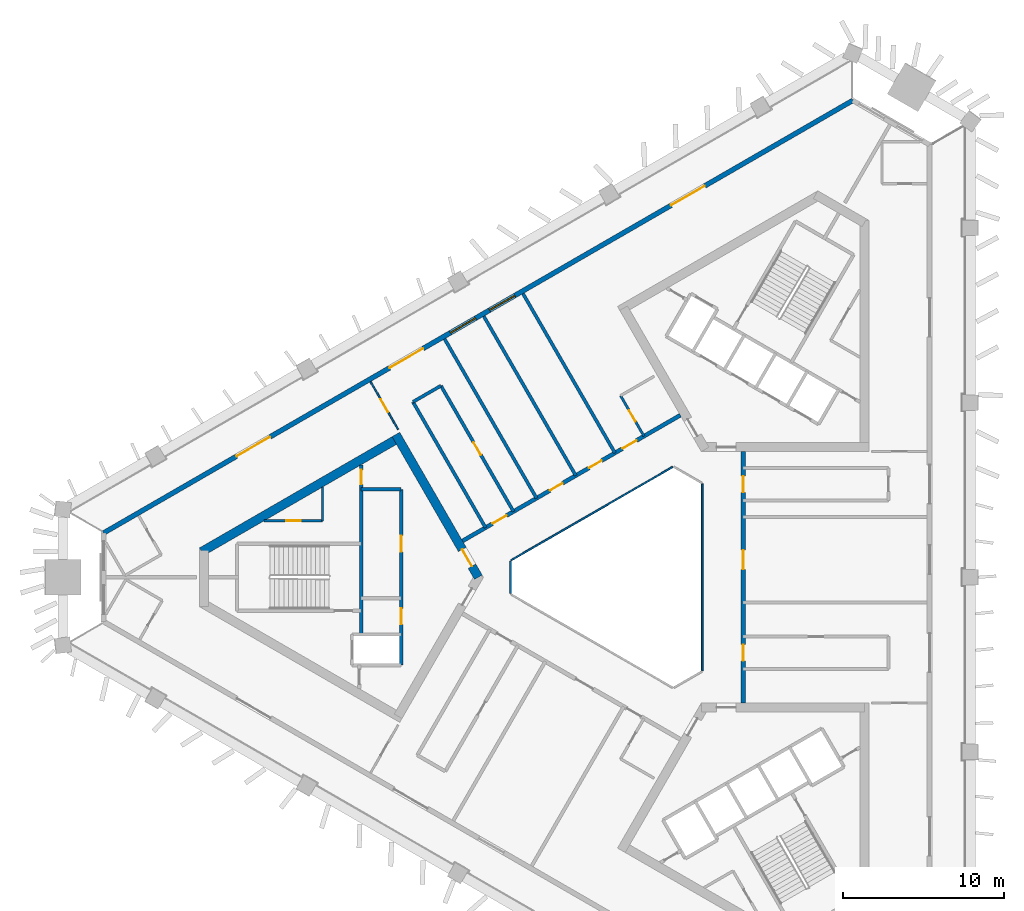
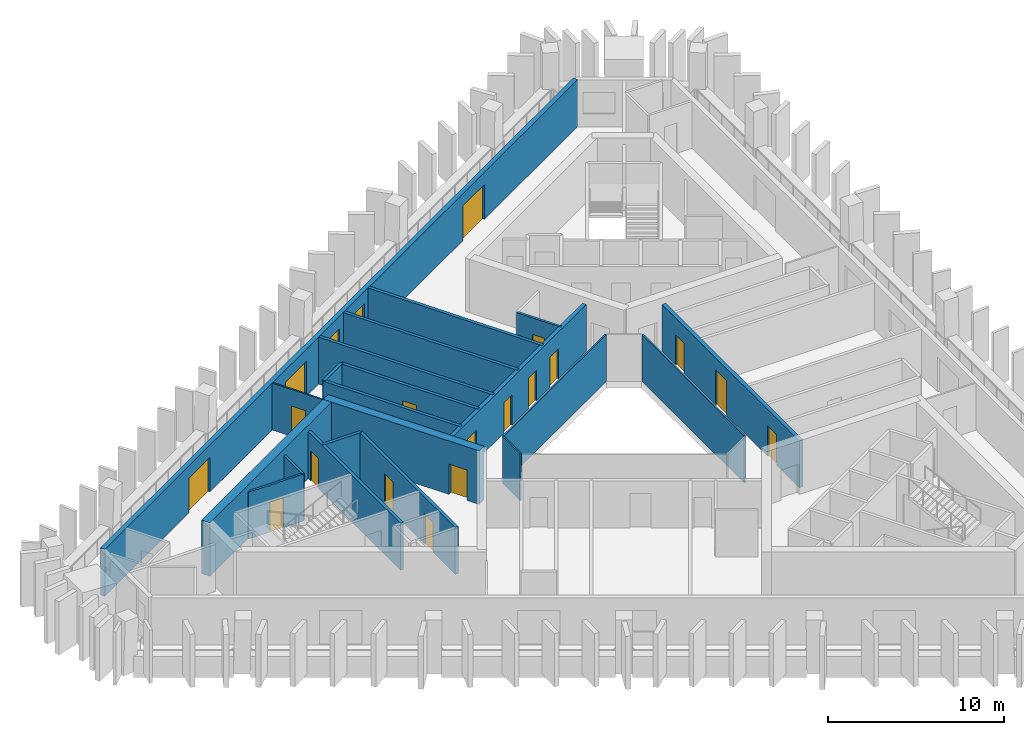
# One storey, part 4 of 9: 21 walls, 18 doors, 2 windows, 20 openings.
"""IFC4 building model written with IfcOpenShell, lengths in metres."""

from ifc_helpers import new_model, si_unit, direction, frame, frame_2d, origin, place, context, subcontext, project, spatial, rectangle, extrude, material, layer, layer_set, type_object, element, fill, save


model = new_model("IFC4")

# Units and contexts
model_context = context("Model", 3, precision=1e-05, world=origin(), true_north=direction((0.0, 1.0)))
body_context = subcontext(model_context, "Body", "Model", "MODEL_VIEW")
ifc_project = project(units=[si_unit("LENGTHUNIT", "METRE"), si_unit("AREAUNIT", "SQUARE_METRE"), si_unit("VOLUMEUNIT", "CUBIC_METRE"), si_unit("PLANEANGLEUNIT", "RADIAN"), si_unit("MASSUNIT", "GRAM", prefix="KILO")], contexts=[model_context])

# Site, building, storey
site_placement = place(None, origin())
site = spatial("IfcSite", under=ifc_project, at=site_placement, CompositionType="ELEMENT")
building_placement = place(site_placement, origin())
building = spatial("IfcBuilding", under=site, at=building_placement, Name="Jabali Bay Hotel Tower and Convention Centre", CompositionType="ELEMENT")
storey_placement = place(building_placement, frame((0.0, 0.0, 171.10009765625)))
storey = spatial("IfcBuildingStorey", under=building, at=storey_placement, Name="L41", CompositionType="ELEMENT", Elevation=171.10009765625)

# Walls
ifc_material_1 = material(Name="Fire-resistant glazing", Category="glass")
ifc_layer_1 = layer(ifc_material_1, 0.10009765625)
ifc_layer_set_1 = layer_set([ifc_layer_1], Name="Fire-resistant glazing")
wall_type_1 = type_object("IfcWallType", Name="Atrium glazed screen 100", PredefinedType="PARTITIONING", material=ifc_layer_set_1)
for number, where, z_axis, x_axis, name in (
    (1, (79.56005859375, 74.205810546875, 0.0), (0.0, 0.0, 1.0), (0.0, 1.0, 0.0), "Atrium screen 1 L41"),
    (2, (77.738037109375, 86.84619140625, 0.0), (0.0, 0.0, 1.0), (-0.866026658274, -0.499997827154, 0.0), "Atrium screen 3 L41"),
):
    element("IfcWall", number, at=place(storey_placement, frame(where, z_axis=z_axis, x_axis=x_axis)), inside=storey, type_object=wall_type_1, Name=name, PredefinedType="PARTITIONING", context=body_context, shape_type="SweptSolid", body=[
        extrude(rectangle(XDim=11.58837890625, YDim=0.10009765625, at=frame_2d((5.794189453125, 0.0))), origin(), (0.0, 0.0, 1.0), 3.25),
    ])
wall_1_placement = place(storey_placement, frame((67.672119140625, 81.0, 0.0), z_axis=(0.0, 0.0, 1.0), x_axis=(0.0, -1.0, 0.0)))
element("IfcWall", 3, at=wall_1_placement, inside=storey, type_object=wall_type_1, Name="Atrium screen 4 L41", PredefinedType="PARTITIONING", context=body_context, shape_type="SweptSolid", body=[
    extrude(rectangle(XDim=2.0, YDim=0.10009765625, at=frame_2d((1.0, 0.0))), origin(), (0.0, 0.0, 1.0), 3.25),
])

# Wall, opening, door
ifc_material_2 = material(Name="Fire-rated board partition")
ifc_layer_2 = layer(ifc_material_2, 0.14990234375)
ifc_layer_set_2 = layer_set([ifc_layer_2], Name="Fire-rated board partition")
wall_type_2 = type_object("IfcWallType", Name="Core room partition 150", PredefinedType="PARTITIONING", material=ifc_layer_set_2)
wall_2_placement = place(storey_placement, frame((56.02001953125, 83.5, 0.0), z_axis=(0.0, 0.0, 1.0), x_axis=(-1.0, 0.0, 0.0)))
wall_2 = element("IfcWall", 4, at=wall_2_placement, inside=storey, type_object=wall_type_2, Name="Core wall 0.1 L41", PredefinedType="PARTITIONING", context=body_context, shape_type="SweptSolid", body=[
    extrude(rectangle(XDim=3.617919921875, YDim=0.14990234375, at=frame_2d((1.80908203125, 0.0))), origin(), (0.0, 0.0, 1.0), 3.25),
])
opening_1_placement = place(wall_2_placement, frame((1.33154296875, 0.0, 0.0)))
opening_1 = element("IfcOpeningElement", 5, at=opening_1_placement, cuts=wall_2, Name="Opening D892", PredefinedType="OPENING", context=body_context, shape_type="SweptSolid", body=[
    extrude(rectangle(XDim=0.89990234375, YDim=2.10009765625, at=frame_2d((0.449951171875, 1.050048828125))), frame((0.0, 0.08544921875, 0.0), z_axis=(0.0, -1.0, 0.0), x_axis=(1.0, 0.0, 0.0)), (0.0, 0.0, 1.0), 0.1708984375),
])
ifc_material_3 = material(Name="Fire-rated steel door", Category="steel")
door_type_1 = type_object("IfcDoorType", Name="Core room door 900 x 2100", OperationType="NOTDEFINED", PredefinedType="NOTDEFINED", material=ifc_material_3)
door_1_placement = place(opening_1_placement, origin())
door_1 = element("IfcDoor", 6, at=door_1_placement, inside=storey, type_object=door_type_1, Name="Core room door D892", OperationType="SINGLE_SWING_LEFT", OverallHeight=2.10009765625, OverallWidth=0.89990234375, PredefinedType="NOTDEFINED", context=body_context, shape_type="SweptSolid", body=[
    extrude(rectangle(XDim=0.89990234375, YDim=2.10009765625, at=frame_2d((0.449951171875, 1.050048828125))), frame((0.0, 0.02490234375, 0.0), z_axis=(0.0, -1.0, 0.0), x_axis=(1.0, 0.0, 0.0)), (0.0, 0.0, 1.0), 0.050048828125),
])
fill(opening_1, door_1)

# Walls
wall_3_placement = place(storey_placement, frame((56.02001953125, 85.5888671875, 0.0), z_axis=(0.0, 0.0, 1.0), x_axis=(0.0, -1.0, 0.0)))
element("IfcWall", 7, at=wall_3_placement, inside=storey, type_object=wall_type_2, Name="Core wall 0.12 L41", PredefinedType="PARTITIONING", context=body_context, shape_type="SweptSolid", body=[
    extrude(rectangle(XDim=2.0888671875, YDim=0.14990234375, at=frame_2d((1.04443359375, 0.0))), origin(), (0.0, 0.0, 1.0), 3.25),
])
ifc_material_4 = material(Name="Concrete C40", Category="concrete")
ifc_layer_3 = layer(ifc_material_4, 0.199951171875)
ifc_layer_set_3 = layer_set([ifc_layer_3], Name="Concrete C40")
wall_type_3 = type_object("IfcWallType", Name="Core stair wall 200", PredefinedType="SOLIDWALL", material=ifc_layer_set_3)
wall_4_placement = place(storey_placement, frame((60.89990234375, 85.449951171875, 0.0), z_axis=(0.0, 0.0, 1.0), x_axis=(-1.0, 0.0, 0.0)))
element("IfcWall", 8, at=wall_4_placement, inside=storey, type_object=wall_type_3, Name="Core wall 0.0 L41", PredefinedType="SOLIDWALL", context=body_context, shape_type="SweptSolid", body=[
    extrude(rectangle(XDim=2.47998046875, YDim=0.199951171875, at=frame_2d((1.239990234375, 0.0))), origin(), (0.0, 0.0, 1.0), 3.25),
])

# Wall, openings, doors
wall_5_placement = place(storey_placement, frame((60.89990234375, 85.449951171875, 0.0), z_axis=(0.0, 0.0, 1.0), x_axis=(0.0, -1.0, 0.0)))
wall_5 = element("IfcWall", 9, at=wall_5_placement, inside=storey, type_object=wall_type_3, Name="Core wall 0.8 L41", PredefinedType="SOLIDWALL", context=body_context, shape_type="SweptSolid", body=[
    extrude(rectangle(XDim=10.89990234375, YDim=0.199951171875, at=frame_2d((5.449951171875, 0.0))), origin(), (0.0, 0.0, 1.0), 3.25),
])
opening_2_placement = place(wall_5_placement, frame((2.875, 0.0, 0.0)))
opening_2 = element("IfcOpeningElement", 10, at=opening_2_placement, cuts=wall_5, Name="Opening D887", PredefinedType="OPENING", context=body_context, shape_type="SweptSolid", body=[
    extrude(rectangle(XDim=1.0, YDim=2.10009765625, at=frame_2d((0.5, 1.050048828125))), frame((0.0, 0.1103515625, 0.0), z_axis=(0.0, -1.0, 0.0), x_axis=(1.0, 0.0, 0.0)), (0.0, 0.0, 1.0), 0.220947265625),
])
opening_3_placement = place(wall_5_placement, frame((7.375, 0.0, 0.0)))
opening_3 = element("IfcOpeningElement", 11, at=opening_3_placement, cuts=wall_5, Name="Opening D888", PredefinedType="OPENING", context=body_context, shape_type="SweptSolid", body=[
    extrude(rectangle(XDim=1.0, YDim=2.10009765625, at=frame_2d((0.5, 1.050048828125))), frame((0.0, 0.1103515625, 0.0), z_axis=(0.0, -1.0, 0.0), x_axis=(1.0, 0.0, 0.0)), (0.0, 0.0, 1.0), 0.220947265625),
])
door_type_2 = type_object("IfcDoorType", Name="Core room door 1000 x 2100", OperationType="NOTDEFINED", PredefinedType="NOTDEFINED", material=ifc_material_3)
door_2_placement = place(opening_2_placement, origin())
door_2 = element("IfcDoor", 12, at=door_2_placement, inside=storey, type_object=door_type_2, Name="Core room door D887", OperationType="SINGLE_SWING_RIGHT", OverallHeight=2.10009765625, OverallWidth=1.0, PredefinedType="NOTDEFINED", context=body_context, shape_type="SweptSolid", body=[
    extrude(rectangle(XDim=1.0, YDim=2.10009765625, at=frame_2d((0.5, 1.050048828125))), frame((0.0, 0.02490234375, 0.0), z_axis=(0.0, -1.0, 0.0), x_axis=(1.0, 0.0, 0.0)), (0.0, 0.0, 1.0), 0.050048828125),
])
fill(opening_2, door_2)
door_3_placement = place(opening_3_placement, origin())
door_3 = element("IfcDoor", 13, at=door_3_placement, inside=storey, type_object=door_type_2, Name="Core room door D888", OperationType="SINGLE_SWING_RIGHT", OverallHeight=2.10009765625, OverallWidth=1.0, PredefinedType="NOTDEFINED", context=body_context, shape_type="SweptSolid", body=[
    extrude(rectangle(XDim=1.0, YDim=2.10009765625, at=frame_2d((0.5, 1.050048828125))), frame((0.0, 0.02490234375, 0.0), z_axis=(0.0, -1.0, 0.0), x_axis=(1.0, 0.0, 0.0)), (0.0, 0.0, 1.0), 0.050048828125),
])
fill(opening_3, door_3)

# Wall, opening, door
wall_6_placement = place(storey_placement, frame((58.419921875, 86.974365234375, 0.0), z_axis=(0.0, 0.0, 1.0), x_axis=(0.0, -1.0, 0.0)))
wall_6 = element("IfcWall", 14, at=wall_6_placement, inside=storey, type_object=wall_type_3, Name="Core wall 0.9 L41", PredefinedType="SOLIDWALL", context=body_context, shape_type="SweptSolid", body=[
    extrude(rectangle(XDim=10.5244140625, YDim=0.199951171875, at=frame_2d((5.26220703125, 0.0))), origin(), (0.0, 0.0, 1.0), 3.25),
])
opening_4_placement = place(wall_6_placement, frame((0.312255859375, 0.0, 0.0)))
opening_4 = element("IfcOpeningElement", 15, at=opening_4_placement, cuts=wall_6, Name="Opening D890", PredefinedType="OPENING", context=body_context, shape_type="SweptSolid", body=[
    extrude(rectangle(XDim=0.89990234375, YDim=2.10009765625, at=frame_2d((0.449951171875, 1.050048828125))), frame((0.0, 0.1103515625, 0.0), z_axis=(0.0, -1.0, 0.0), x_axis=(1.0, 0.0, 0.0)), (0.0, 0.0, 1.0), 0.220947265625),
])
door_type_3 = type_object("IfcDoorType", Name="Vestibule fire door 900 x 2100", OperationType="NOTDEFINED", PredefinedType="NOTDEFINED", material=ifc_material_3)
door_4_placement = place(opening_4_placement, origin())
door_4 = element("IfcDoor", 16, at=door_4_placement, inside=storey, type_object=door_type_3, Name="Vestibule fire door D890", OperationType="SINGLE_SWING_LEFT", OverallHeight=2.10009765625, OverallWidth=0.89990234375, PredefinedType="NOTDEFINED", context=body_context, shape_type="SweptSolid", body=[
    extrude(rectangle(XDim=0.89990234375, YDim=2.10009765625, at=frame_2d((0.449951171875, 1.050048828125))), frame((0.0, 0.02490234375, 0.0), z_axis=(0.0, -1.0, 0.0), x_axis=(1.0, 0.0, 0.0)), (0.0, 0.0, 1.0), 0.050048828125),
])
fill(opening_4, door_4)

ifc_material_5 = material(Name="Concrete C60", Category="concrete")
ifc_layer_4 = layer(ifc_material_5, 0.550048828125)
ifc_layer_set_4 = layer_set([ifc_layer_4], Name="Concrete C60")
wall_type_4 = type_object("IfcWallType", Name="Core wall 550", PredefinedType="SHEAR", material=ifc_layer_set_4)
wall_7_placement = place(storey_placement, frame((65.682373046875, 80.0, 0.0), z_axis=(0.0, 0.0, 1.0), x_axis=(-0.500000202252, 0.866025287014, 0.0)))
wall_7 = element("IfcWall", 17, at=wall_7_placement, inside=storey, type_object=wall_type_4, Name="Core wall 1.1 L41", PredefinedType="SHEAR", context=body_context, shape_type="SweptSolid", body=[
    extrude(rectangle(XDim=10.22119140625, YDim=0.550048828125, at=frame_2d((5.110595703125, 0.0))), origin(), (0.0, 0.0, 1.0), 3.699951171875),
])
opening_5_placement = place(wall_7_placement, frame((0.791259765625, 0.0, 0.0)))
opening_5 = element("IfcOpeningElement", 18, at=opening_5_placement, cuts=wall_7, Name="Opening D885", PredefinedType="OPENING", context=body_context, shape_type="SweptSolid", body=[
    extrude(rectangle(XDim=1.199951171875, YDim=2.10009765625, at=frame_2d((0.60009765625, 1.050048828125))), frame((0.0, 0.28564453125, 0.0), z_axis=(0.0, -1.0, 0.0), x_axis=(1.0, 0.0, 0.0)), (0.0, 0.0, 1.0), 0.571044921875),
])
door_type_4 = type_object("IfcDoorType", Name="Corridor end fire door 1200 x 2100", OperationType="NOTDEFINED", PredefinedType="NOTDEFINED", material=ifc_material_3)
door_5_placement = place(opening_5_placement, origin())
door_5 = element("IfcDoor", 19, at=door_5_placement, inside=storey, type_object=door_type_4, Name="Corridor end fire door D885", OperationType="SINGLE_SWING_RIGHT", OverallHeight=2.10009765625, OverallWidth=1.199951171875, PredefinedType="NOTDEFINED", context=body_context, shape_type="SweptSolid", body=[
    extrude(rectangle(XDim=1.199951171875, YDim=2.10009765625, at=frame_2d((0.60009765625, 1.050048828125))), frame((0.0, 0.02490234375, 0.0), z_axis=(0.0, -1.0, 0.0), x_axis=(1.0, 0.0, 0.0)), (0.0, 0.0, 1.0), 0.050048828125),
])
fill(opening_5, door_5)

# Wall
wall_8_placement = place(storey_placement, frame((60.709228515625, 88.61376953125, 0.0), z_axis=(0.0, 0.0, 1.0), x_axis=(-0.866020164116, -0.500009075263, 0.0)))
element("IfcWall", 20, at=wall_8_placement, inside=storey, type_object=wall_type_4, Name="Core wall 1.2 L41", PredefinedType="SHEAR", context=body_context, shape_type="SweptSolid", body=[
    extrude(rectangle(XDim=14.058349609375, YDim=0.550048828125, at=frame_2d((7.029296875, 0.0))), origin(), (0.0, 0.0, 1.0), 3.699951171875),
])

# Wall, openings, doors
ifc_layer_5 = layer(ifc_material_5, 0.25)
ifc_layer_set_5 = layer_set([ifc_layer_5], Name="Concrete C60")
wall_type_5 = type_object("IfcWallType", Name="Corridor wall 250", PredefinedType="SHEAR", material=ifc_layer_set_5)
wall_9_placement = place(storey_placement, frame((82.10009765625, 72.205810546875, 0.0), z_axis=(0.0, 0.0, 1.0), x_axis=(0.0, 1.0, 0.0)))
wall_9 = element("IfcWall", 21, at=wall_9_placement, inside=storey, type_object=wall_type_5, Name="Corridor wall 1 L41", PredefinedType="SHEAR", context=body_context, shape_type="SweptSolid", body=[
    extrude(rectangle(XDim=15.58837890625, YDim=0.25, at=frame_2d((7.794189453125, 0.0))), origin(), (0.0, 0.0, 1.0), 3.25),
])
opening_6_placement = place(wall_9_placement, frame((2.61767578125, 0.0, 0.0)))
opening_6 = element("IfcOpeningElement", 22, at=opening_6_placement, cuts=wall_9, Name="Opening 4101", PredefinedType="OPENING", context=body_context, shape_type="SweptSolid", body=[
    extrude(rectangle(XDim=1.0, YDim=2.10009765625, at=frame_2d((0.5, 1.050048828125))), frame((0.0, 0.135498046875, 0.0), z_axis=(0.0, -1.0, 0.0), x_axis=(1.0, 0.0, 0.0)), (0.0, 0.0, 1.0), 0.27099609375),
])
opening_7_placement = place(wall_9_placement, frame((8.285400390625, 0.0, 0.0)))
opening_7 = element("IfcOpeningElement", 23, at=opening_7_placement, cuts=wall_9, Name="Opening 4105", PredefinedType="OPENING", context=body_context, shape_type="SweptSolid", body=[
    extrude(rectangle(XDim=1.199951171875, YDim=2.39990234375, at=frame_2d((0.60009765625, 1.199951171875))), frame((0.0, 0.135498046875, 0.0), z_axis=(0.0, -1.0, 0.0), x_axis=(1.0, 0.0, 0.0)), (0.0, 0.0, 1.0), 0.27099609375),
])
opening_8_placement = place(wall_9_placement, frame((13.06201171875, 0.0, 0.0)))
opening_8 = element("IfcOpeningElement", 24, at=opening_8_placement, cuts=wall_9, Name="Opening 4106", PredefinedType="OPENING", context=body_context, shape_type="SweptSolid", body=[
    extrude(rectangle(XDim=1.0, YDim=2.10009765625, at=frame_2d((0.5, 1.050048828125))), frame((0.0, 0.135498046875, 0.0), z_axis=(0.0, -1.0, 0.0), x_axis=(1.0, 0.0, 0.0)), (0.0, 0.0, 1.0), 0.27099609375),
])
ifc_material_6 = material(Name="Timber", Category="wood")
door_type_5 = type_object("IfcDoorType", Name="Guest room door 1000 x 2100", OperationType="NOTDEFINED", PredefinedType="NOTDEFINED", material=ifc_material_6)
door_6_placement = place(opening_6_placement, origin())
door_6 = element("IfcDoor", 25, at=door_6_placement, inside=storey, type_object=door_type_5, Name="Door 4101", OperationType="SINGLE_SWING_LEFT", OverallHeight=2.10009765625, OverallWidth=1.0, PredefinedType="NOTDEFINED", context=body_context, shape_type="SweptSolid", body=[
    extrude(rectangle(XDim=1.0, YDim=2.10009765625, at=frame_2d((0.5, 1.050048828125))), frame((0.0, 0.02490234375, 0.0), z_axis=(0.0, -1.0, 0.0), x_axis=(1.0, 0.0, 0.0)), (0.0, 0.0, 1.0), 0.050048828125),
])
fill(opening_6, door_6)
door_7_placement = place(opening_8_placement, origin())
door_7 = element("IfcDoor", 26, at=door_7_placement, inside=storey, type_object=door_type_5, Name="Door 4106", OperationType="SINGLE_SWING_RIGHT", OverallHeight=2.10009765625, OverallWidth=1.0, PredefinedType="NOTDEFINED", context=body_context, shape_type="SweptSolid", body=[
    extrude(rectangle(XDim=1.0, YDim=2.10009765625, at=frame_2d((0.5, 1.050048828125))), frame((0.0, 0.02490234375, 0.0), z_axis=(0.0, -1.0, 0.0), x_axis=(1.0, 0.0, 0.0)), (0.0, 0.0, 1.0), 0.050048828125),
])
fill(opening_8, door_7)
door_type_6 = type_object("IfcDoorType", Name="Public room door 1200 x 2400", OperationType="NOTDEFINED", PredefinedType="NOTDEFINED", material=ifc_material_6)
door_8_placement = place(opening_7_placement, origin())
door_8 = element("IfcDoor", 27, at=door_8_placement, inside=storey, type_object=door_type_6, Name="Door 4105", OperationType="SINGLE_SWING_RIGHT", OverallHeight=2.39990234375, OverallWidth=1.199951171875, PredefinedType="NOTDEFINED", context=body_context, shape_type="SweptSolid", body=[
    extrude(rectangle(XDim=1.199951171875, YDim=2.39990234375, at=frame_2d((0.60009765625, 1.199951171875))), frame((0.0, 0.02490234375, 0.0), z_axis=(0.0, -1.0, 0.0), x_axis=(1.0, 0.0, 0.0)), (0.0, 0.0, 1.0), 0.050048828125),
])
fill(opening_7, door_8)

wall_10_placement = place(storey_placement, frame((78.199951171875, 90.0458984375, 0.0), z_axis=(0.0, 0.0, 1.0), x_axis=(-0.866026492143, -0.499998114903, 0.0)))
wall_10 = element("IfcWall", 28, at=wall_10_placement, inside=storey, type_object=wall_type_5, Name="Corridor wall 2 L41", PredefinedType="SHEAR", context=body_context, shape_type="SweptSolid", body=[
    extrude(rectangle(XDim=15.58837890625, YDim=0.25, at=frame_2d((7.794189453125, 0.0))), origin(), (0.0, 0.0, 1.0), 3.25),
])
opening_9_placement = place(wall_10_placement, frame((3.13818359375, 0.0, 0.0)))
opening_9 = element("IfcOpeningElement", 29, at=opening_9_placement, cuts=wall_10, Name="Opening 4111", PredefinedType="OPENING", context=body_context, shape_type="SweptSolid", body=[
    extrude(rectangle(XDim=1.0, YDim=2.10009765625, at=frame_2d((0.5, 1.050048828125))), frame((0.0, 0.135498046875, 0.0), z_axis=(0.0, -1.0, 0.0), x_axis=(1.0, 0.0, 0.0)), (0.0, 0.0, 1.0), 0.27099609375),
])
opening_10_placement = place(wall_10_placement, frame((5.62939453125, 0.0, 0.0)))
opening_10 = element("IfcOpeningElement", 30, at=opening_10_placement, cuts=wall_10, Name="Opening 4112", PredefinedType="OPENING", context=body_context, shape_type="SweptSolid", body=[
    extrude(rectangle(XDim=0.89990234375, YDim=2.10009765625, at=frame_2d((0.449951171875, 1.050048828125))), frame((0.0, 0.135498046875, 0.0), z_axis=(0.0, -1.0, 0.0), x_axis=(1.0, 0.0, 0.0)), (0.0, 0.0, 1.0), 0.27099609375),
])
opening_11_placement = place(wall_10_placement, frame((8.435302734375, 0.0, 0.0)))
opening_11 = element("IfcOpeningElement", 31, at=opening_11_placement, cuts=wall_10, Name="Opening 4113", PredefinedType="OPENING", context=body_context, shape_type="SweptSolid", body=[
    extrude(rectangle(XDim=0.89990234375, YDim=2.10009765625, at=frame_2d((0.449951171875, 1.050048828125))), frame((0.0, 0.135498046875, 0.0), z_axis=(0.0, -1.0, 0.0), x_axis=(1.0, 0.0, 0.0)), (0.0, 0.0, 1.0), 0.27099609375),
])
opening_12_placement = place(wall_10_placement, frame((12.4384765625, 0.0, 0.0)))
opening_12 = element("IfcOpeningElement", 32, at=opening_12_placement, cuts=wall_10, Name="Opening 4114", PredefinedType="OPENING", context=body_context, shape_type="SweptSolid", body=[
    extrude(rectangle(XDim=1.0, YDim=2.10009765625, at=frame_2d((0.5, 1.050048828125))), frame((0.0, 0.135498046875, 0.0), z_axis=(0.0, -1.0, 0.0), x_axis=(1.0, 0.0, 0.0)), (0.0, 0.0, 1.0), 0.27099609375),
])
door_9_placement = place(opening_9_placement, origin())
door_9 = element("IfcDoor", 33, at=door_9_placement, inside=storey, type_object=door_type_5, Name="Door 4111", OperationType="SINGLE_SWING_LEFT", OverallHeight=2.10009765625, OverallWidth=1.0, PredefinedType="NOTDEFINED", context=body_context, shape_type="SweptSolid", body=[
    extrude(rectangle(XDim=1.0, YDim=2.10009765625, at=frame_2d((0.5, 1.050048828125))), frame((0.0, 0.02490234375, 0.0), z_axis=(0.0, -1.0, 0.0), x_axis=(1.0, 0.0, 0.0)), (0.0, 0.0, 1.0), 0.050048828125),
])
fill(opening_9, door_9)
door_10_placement = place(opening_12_placement, origin())
door_10 = element("IfcDoor", 34, at=door_10_placement, inside=storey, type_object=door_type_5, Name="Door 4114", OperationType="SINGLE_SWING_RIGHT", OverallHeight=2.10009765625, OverallWidth=1.0, PredefinedType="NOTDEFINED", context=body_context, shape_type="SweptSolid", body=[
    extrude(rectangle(XDim=1.0, YDim=2.10009765625, at=frame_2d((0.5, 1.050048828125))), frame((0.0, 0.02490234375, 0.0), z_axis=(0.0, -1.0, 0.0), x_axis=(1.0, 0.0, 0.0)), (0.0, 0.0, 1.0), 0.050048828125),
])
fill(opening_12, door_10)
door_type_7 = type_object("IfcDoorType", Name="Internal door 900 x 2100", OperationType="NOTDEFINED", PredefinedType="NOTDEFINED", material=ifc_material_6)
door_11_placement = place(opening_10_placement, origin())
door_11 = element("IfcDoor", 35, at=door_11_placement, inside=storey, type_object=door_type_7, Name="Door 4112", OperationType="SINGLE_SWING_LEFT", OverallHeight=2.10009765625, OverallWidth=0.89990234375, PredefinedType="NOTDEFINED", context=body_context, shape_type="SweptSolid", body=[
    extrude(rectangle(XDim=0.89990234375, YDim=2.10009765625, at=frame_2d((0.449951171875, 1.050048828125))), frame((0.0, 0.02490234375, 0.0), z_axis=(0.0, -1.0, 0.0), x_axis=(1.0, 0.0, 0.0)), (0.0, 0.0, 1.0), 0.050048828125),
])
fill(opening_10, door_11)
door_12_placement = place(opening_11_placement, origin())
door_12 = element("IfcDoor", 36, at=door_12_placement, inside=storey, type_object=door_type_7, Name="Door 4113", OperationType="SINGLE_SWING_RIGHT", OverallHeight=2.10009765625, OverallWidth=0.89990234375, PredefinedType="NOTDEFINED", context=body_context, shape_type="SweptSolid", body=[
    extrude(rectangle(XDim=0.89990234375, YDim=2.10009765625, at=frame_2d((0.449951171875, 1.050048828125))), frame((0.0, 0.02490234375, 0.0), z_axis=(0.0, -1.0, 0.0), x_axis=(1.0, 0.0, 0.0)), (0.0, 0.0, 1.0), 0.050048828125),
])
fill(opening_11, door_12)

# Wall, openings, doors, windows
ifc_layer_6 = layer(ifc_material_4, 0.300048828125)
ifc_layer_set_6 = layer_set([ifc_layer_6], Name="Concrete C40")
wall_type_6 = type_object("IfcWallType", Name="External wall 300", PredefinedType="SOLIDWALL", material=ifc_layer_set_6)
wall_11_placement = place(storey_placement, frame((42.44970703125, 82.74365234375, 0.0), z_axis=(0.0, 0.0, 1.0), x_axis=(0.866024128163, 0.500002209434, 0.0)))
wall_11 = element("IfcWall", 37, at=wall_11_placement, inside=storey, type_object=wall_type_6, Name="External wall north-west face L41", PredefinedType="SOLIDWALL", context=body_context, shape_type="SweptSolid", body=[
    extrude(rectangle(XDim=53.635009765625, YDim=0.300048828125, at=frame_2d((26.8173828125, 0.0))), origin(), (0.0, 0.0, 1.0), 3.25),
])
opening_13_placement = place(wall_11_placement, frame((20.473388671875, 0.0, 0.0)))
opening_13 = element("IfcOpeningElement", 38, at=opening_13_placement, cuts=wall_11, Name="Opening SD1", PredefinedType="OPENING", context=body_context, shape_type="SweptSolid", body=[
    extrude(rectangle(XDim=2.39990234375, YDim=2.39990234375, at=frame_2d((1.199951171875, 1.199951171875))), frame((0.0, 0.16064453125, 0.0), z_axis=(0.0, -1.0, 0.0), x_axis=(1.0, 0.0, 0.0)), (0.0, 0.0, 1.0), 0.321044921875),
])
opening_14_placement = place(wall_11_placement, frame((9.514404296875, 0.0, 0.0)))
opening_14 = element("IfcOpeningElement", 39, at=opening_14_placement, cuts=wall_11, Name="Opening SD1", PredefinedType="OPENING", context=body_context, shape_type="SweptSolid", body=[
    extrude(rectangle(XDim=2.39990234375, YDim=2.39990234375, at=frame_2d((1.199951171875, 1.199951171875))), frame((0.0, 0.16064453125, 0.0), z_axis=(0.0, -1.0, 0.0), x_axis=(1.0, 0.0, 0.0)), (0.0, 0.0, 1.0), 0.321044921875),
])
opening_15_placement = place(wall_11_placement, frame((40.62841796875, 0.0, 0.0)))
opening_15 = element("IfcOpeningElement", 40, at=opening_15_placement, cuts=wall_11, Name="Opening SD1", PredefinedType="OPENING", context=body_context, shape_type="SweptSolid", body=[
    extrude(rectangle(XDim=2.39990234375, YDim=2.39990234375, at=frame_2d((1.199951171875, 1.199951171875))), frame((0.0, 0.16064453125, 0.0), z_axis=(0.0, -1.0, 0.0), x_axis=(1.0, 0.0, 0.0)), (0.0, 0.0, 1.0), 0.321044921875),
])
opening_16_placement = place(wall_11_placement, frame((27.63232421875, 0.0, 0.89990234375)))
opening_16 = element("IfcOpeningElement", 41, at=opening_16_placement, cuts=wall_11, Name="Opening W1", PredefinedType="OPENING", context=body_context, shape_type="SweptSolid", body=[
    extrude(rectangle(XDim=1.800048828125, YDim=1.5, at=frame_2d((0.89990234375, 0.75))), frame((0.0, 0.16064453125, 0.0), z_axis=(0.0, -1.0, 0.0), x_axis=(1.0, 0.0, 0.0)), (0.0, 0.0, 1.0), 0.321044921875),
])
opening_17_placement = place(wall_11_placement, frame((24.826416015625, 0.0, 0.89990234375)))
opening_17 = element("IfcOpeningElement", 42, at=opening_17_placement, cuts=wall_11, Name="Opening W1", PredefinedType="OPENING", context=body_context, shape_type="SweptSolid", body=[
    extrude(rectangle(XDim=1.800048828125, YDim=1.5, at=frame_2d((0.89990234375, 0.75))), frame((0.0, 0.16064453125, 0.0), z_axis=(0.0, -1.0, 0.0), x_axis=(1.0, 0.0, 0.0)), (0.0, 0.0, 1.0), 0.321044921875),
])
ifc_material_7 = material(Name="Glass", Category="glass")
door_type_8 = type_object("IfcDoorType", Name="Loggia sliding door 2400 x 2400", OperationType="NOTDEFINED", PredefinedType="NOTDEFINED", material=ifc_material_7)
door_13_placement = place(opening_13_placement, origin())
door_13 = element("IfcDoor", 43, at=door_13_placement, inside=storey, type_object=door_type_8, Name="Loggia sliding door 4108", OperationType="SLIDING_TO_LEFT", OverallHeight=2.39990234375, OverallWidth=2.39990234375, PredefinedType="NOTDEFINED", context=body_context, shape_type="SweptSolid", body=[
    extrude(rectangle(XDim=2.39990234375, YDim=2.39990234375, at=frame_2d((1.199951171875, 1.199951171875))), frame((0.0, 0.02490234375, 0.0), z_axis=(0.0, -1.0, 0.0), x_axis=(1.0, 0.0, 0.0)), (0.0, 0.0, 1.0), 0.050048828125),
])
fill(opening_13, door_13)
door_14_placement = place(opening_14_placement, origin())
door_14 = element("IfcDoor", 44, at=door_14_placement, inside=storey, type_object=door_type_8, Name="Loggia sliding door 4108", OperationType="SLIDING_TO_RIGHT", OverallHeight=2.39990234375, OverallWidth=2.39990234375, PredefinedType="NOTDEFINED", context=body_context, shape_type="SweptSolid", body=[
    extrude(rectangle(XDim=2.39990234375, YDim=2.39990234375, at=frame_2d((1.199951171875, 1.199951171875))), frame((0.0, 0.02490234375, 0.0), z_axis=(0.0, -1.0, 0.0), x_axis=(1.0, 0.0, 0.0)), (0.0, 0.0, 1.0), 0.050048828125),
])
fill(opening_14, door_14)
door_15_placement = place(opening_15_placement, origin())
door_15 = element("IfcDoor", 45, at=door_15_placement, inside=storey, type_object=door_type_8, Name="Loggia sliding door 4105", OperationType="SLIDING_TO_LEFT", OverallHeight=2.39990234375, OverallWidth=2.39990234375, PredefinedType="NOTDEFINED", context=body_context, shape_type="SweptSolid", body=[
    extrude(rectangle(XDim=2.39990234375, YDim=2.39990234375, at=frame_2d((1.199951171875, 1.199951171875))), frame((0.0, 0.02490234375, 0.0), z_axis=(0.0, -1.0, 0.0), x_axis=(1.0, 0.0, 0.0)), (0.0, 0.0, 1.0), 0.050048828125),
])
fill(opening_15, door_15)
window_type = type_object("IfcWindowType", Name="Window 1800 x 1500", PartitioningType="SINGLE_PANEL", PredefinedType="WINDOW", material=ifc_material_7)
window_1_placement = place(opening_16_placement, origin())
window_1 = element("IfcWindow", 46, at=window_1_placement, inside=storey, type_object=window_type, Name="Window 4106", OverallHeight=1.5, OverallWidth=1.800048828125, PartitioningType="SINGLE_PANEL", PredefinedType="WINDOW", context=body_context, shape_type="SweptSolid", body=[
    extrude(rectangle(XDim=1.800048828125, YDim=1.5, at=frame_2d((0.89990234375, 0.75))), frame((0.0, 0.030029296875, 0.0), z_axis=(0.0, -1.0, 0.0), x_axis=(1.0, 0.0, 0.0)), (0.0, 0.0, 1.0), 0.06005859375),
])
fill(opening_16, window_1)
window_2_placement = place(opening_17_placement, origin())
window_2 = element("IfcWindow", 47, at=window_2_placement, inside=storey, type_object=window_type, Name="Window 4107", OverallHeight=1.5, OverallWidth=1.800048828125, PartitioningType="SINGLE_PANEL", PredefinedType="WINDOW", context=body_context, shape_type="SweptSolid", body=[
    extrude(rectangle(XDim=1.800048828125, YDim=1.5, at=frame_2d((0.89990234375, 0.75))), frame((0.0, 0.030029296875, 0.0), z_axis=(0.0, -1.0, 0.0), x_axis=(1.0, 0.0, 0.0)), (0.0, 0.0, 1.0), 0.06005859375),
])
fill(opening_17, window_2)

# Wall, opening, door
ifc_material_8 = material(Name="Plasterboard on steel stud", Category="steel")
ifc_layer_7 = layer(ifc_material_8, 0.10009765625)
ifc_layer_set_7 = layer_set([ifc_layer_7], Name="Plasterboard on steel stud")
wall_type_7 = type_object("IfcWallType", Name="Partition 100 unit", PredefinedType="PARTITIONING", material=ifc_layer_set_7)
wall_12_placement = place(storey_placement, frame((58.998779296875, 92.12646484375, 0.0), z_axis=(0.0, 0.0, 1.0), x_axis=(0.499981725576, -0.866035954271, 0.0)))
wall_12 = element("IfcWall", 48, at=wall_12_placement, inside=storey, type_object=wall_type_7, Name="Partition P02 L41 024", PredefinedType="PARTITIONING", context=body_context, shape_type="SweptSolid", body=[
    extrude(rectangle(XDim=3.423583984375, YDim=0.10009765625, at=frame_2d((1.7119140625, 0.0))), origin(), (0.0, 0.0, 1.0), 3.25),
])
opening_18_placement = place(wall_12_placement, frame((1.261962890625, 0.0, 0.0)))
opening_18 = element("IfcOpeningElement", 49, at=opening_18_placement, cuts=wall_12, Name="Opening 4115", PredefinedType="OPENING", context=body_context, shape_type="SweptSolid", body=[
    extrude(rectangle(XDim=0.89990234375, YDim=2.10009765625, at=frame_2d((0.449951171875, 1.050048828125))), frame((0.0, 0.060546875, 0.0), z_axis=(0.0, -1.0, 0.0), x_axis=(1.0, 0.0, 0.0)), (0.0, 0.0, 1.0), 0.12109375),
])
door_16_placement = place(opening_18_placement, origin())
door_16 = element("IfcDoor", 50, at=door_16_placement, inside=storey, type_object=door_type_7, Name="Door 4115", OperationType="SINGLE_SWING_RIGHT", OverallHeight=2.10009765625, OverallWidth=0.89990234375, PredefinedType="NOTDEFINED", context=body_context, shape_type="SweptSolid", body=[
    extrude(rectangle(XDim=0.89990234375, YDim=2.10009765625, at=frame_2d((0.449951171875, 1.050048828125))), frame((0.0, 0.02490234375, 0.0), z_axis=(0.0, -1.0, 0.0), x_axis=(1.0, 0.0, 0.0)), (0.0, 0.0, 1.0), 0.050048828125),
])
fill(opening_18, door_16)

ifc_layer_8 = layer(ifc_material_8, 0.14990234375)
ifc_layer_set_8 = layer_set([ifc_layer_8], Name="Plasterboard on steel stud")
wall_type_8 = type_object("IfcWallType", Name="Partition 150 wet", PredefinedType="PARTITIONING", material=ifc_layer_set_8)
wall_13_placement = place(storey_placement, frame((75.9482421875, 88.745849609375, 0.0), z_axis=(0.0, 0.0, 1.0), x_axis=(-0.499987231761, 0.866032775405, 0.0)))
wall_13 = element("IfcWall", 51, at=wall_13_placement, inside=storey, type_object=wall_type_8, Name="Partition P03 L41 019", PredefinedType="PARTITIONING", context=body_context, shape_type="SweptSolid", body=[
    extrude(rectangle(XDim=2.89990234375, YDim=0.14990234375, at=frame_2d((1.449951171875, 0.0))), origin(), (0.0, 0.0, 1.0), 3.25),
])
opening_19_placement = place(wall_13_placement, frame((1.050048828125, 0.0, 0.0)))
opening_19 = element("IfcOpeningElement", 52, at=opening_19_placement, cuts=wall_13, Name="Opening 4110", PredefinedType="OPENING", context=body_context, shape_type="SweptSolid", body=[
    extrude(rectangle(XDim=0.800048828125, YDim=2.10009765625, at=frame_2d((0.39990234375, 1.050048828125))), frame((0.0, 0.08544921875, 0.0), z_axis=(0.0, -1.0, 0.0), x_axis=(1.0, 0.0, 0.0)), (0.0, 0.0, 1.0), 0.1708984375),
])
door_type_9 = type_object("IfcDoorType", Name="En-suite door 800 x 2100", OperationType="NOTDEFINED", PredefinedType="NOTDEFINED", material=ifc_material_6)
door_17_placement = place(opening_19_placement, origin())
door_17 = element("IfcDoor", 53, at=door_17_placement, inside=storey, type_object=door_type_9, Name="Door 4110", OperationType="SINGLE_SWING_RIGHT", OverallHeight=2.10009765625, OverallWidth=0.800048828125, PredefinedType="NOTDEFINED", context=body_context, shape_type="SweptSolid", body=[
    extrude(rectangle(XDim=0.800048828125, YDim=2.10009765625, at=frame_2d((0.39990234375, 1.050048828125))), frame((0.0, 0.02490234375, 0.0), z_axis=(0.0, -1.0, 0.0), x_axis=(1.0, 0.0, 0.0)), (0.0, 0.0, 1.0), 0.050048828125),
])
fill(opening_19, door_17)

# Walls
ifc_layer_9 = layer(ifc_material_8, 0.199951171875)
ifc_layer_set_9 = layer_set([ifc_layer_9], Name="Plasterboard on steel stud")
wall_type_9 = type_object("IfcWallType", Name="Partition 200 party", PredefinedType="PARTITIONING", material=ifc_layer_set_9)
for number, where, z_axis, x_axis, name in (
    (54, (68.44873046875, 97.582275390625, 0.0), (0.0, 0.0, 1.0), (0.499998613539, -0.866026204257, 0.0), "Partition P01 L41 021"),
    (55, (66.018798828125, 96.179443359375, 0.0), (0.0, 0.0, 1.0), (0.499998613539, -0.866026204257, 0.0), "Partition P01 L41 022"),
    (56, (63.5888671875, 94.7763671875, 0.0), (0.0, 0.0, 1.0), (0.499998613539, -0.866026204257, 0.0), "Partition P01 L41 023"),
):
    element("IfcWall", number, at=place(storey_placement, frame(where, z_axis=z_axis, x_axis=x_axis)), inside=storey, type_object=wall_type_9, Name=name, PredefinedType="PARTITIONING", context=body_context, shape_type="SweptSolid", body=[
        extrude(rectangle(XDim=11.40234375, YDim=0.199951171875, at=frame_2d((5.701171875, 0.0))), origin(), (0.0, 0.0, 1.0), 3.25),
    ])
wall_14_placement = place(storey_placement, frame((66.12890625, 83.07666015625, 0.0), z_axis=(0.0, 0.0, 1.0), x_axis=(-0.5000018851, 0.866024315419, 0.0)))
element("IfcWall", 57, at=wall_14_placement, inside=storey, type_object=wall_type_9, Name="Partition P01 L41 025", PredefinedType="PARTITIONING", context=body_context, shape_type="SweptSolid", body=[
    extrude(rectangle(XDim=9.0, YDim=0.199951171875, at=frame_2d((4.5, 0.0))), origin(), (0.0, 0.0, 1.0), 3.25),
])
wall_15_placement = place(storey_placement, frame((61.62890625, 90.870849609375, 0.0), z_axis=(0.0, 0.0, 1.0), x_axis=(0.866041268327, 0.499972520799, 0.0)))
element("IfcWall", 58, at=wall_15_placement, inside=storey, type_object=wall_type_9, Name="Partition P01 L41 026", PredefinedType="PARTITIONING", context=body_context, shape_type="SweptSolid", body=[
    extrude(rectangle(XDim=2.0, YDim=0.199951171875, at=frame_2d((1.0, 0.0))), origin(), (0.0, 0.0, 1.0), 3.25),
])

# Wall, opening, door
wall_16_placement = place(storey_placement, frame((63.361083984375, 91.870849609375, 0.0), z_axis=(0.0, 0.0, 1.0), x_axis=(0.5000018851, -0.866024315419, 0.0)))
wall_16 = element("IfcWall", 59, at=wall_16_placement, inside=storey, type_object=wall_type_9, Name="Partition P01 L41 027", PredefinedType="PARTITIONING", context=body_context, shape_type="SweptSolid", body=[
    extrude(rectangle(XDim=9.0, YDim=0.199951171875, at=frame_2d((4.5, 0.0))), origin(), (0.0, 0.0, 1.0), 3.25),
])
opening_20_placement = place(wall_16_placement, frame((4.050048828125, 0.0, 0.0)))
opening_20 = element("IfcOpeningElement", 60, at=opening_20_placement, cuts=wall_16, Name="Opening 4117", PredefinedType="OPENING", context=body_context, shape_type="SweptSolid", body=[
    extrude(rectangle(XDim=0.89990234375, YDim=2.10009765625, at=frame_2d((0.449951171875, 1.050048828125))), frame((0.0, 0.1103515625, 0.0), z_axis=(0.0, -1.0, 0.0), x_axis=(1.0, 0.0, 0.0)), (0.0, 0.0, 1.0), 0.220947265625),
])
door_18_placement = place(opening_20_placement, origin())
door_18 = element("IfcDoor", 61, at=door_18_placement, inside=storey, type_object=door_type_7, Name="Door 4117", OperationType="SINGLE_SWING_RIGHT", OverallHeight=2.10009765625, OverallWidth=0.89990234375, PredefinedType="NOTDEFINED", context=body_context, shape_type="SweptSolid", body=[
    extrude(rectangle(XDim=0.89990234375, YDim=2.10009765625, at=frame_2d((0.449951171875, 1.050048828125))), frame((0.0, 0.02490234375, 0.0), z_axis=(0.0, -1.0, 0.0), x_axis=(1.0, 0.0, 0.0)), (0.0, 0.0, 1.0), 0.050048828125),
])
fill(opening_20, door_18)

save(model, "model.ifc")
